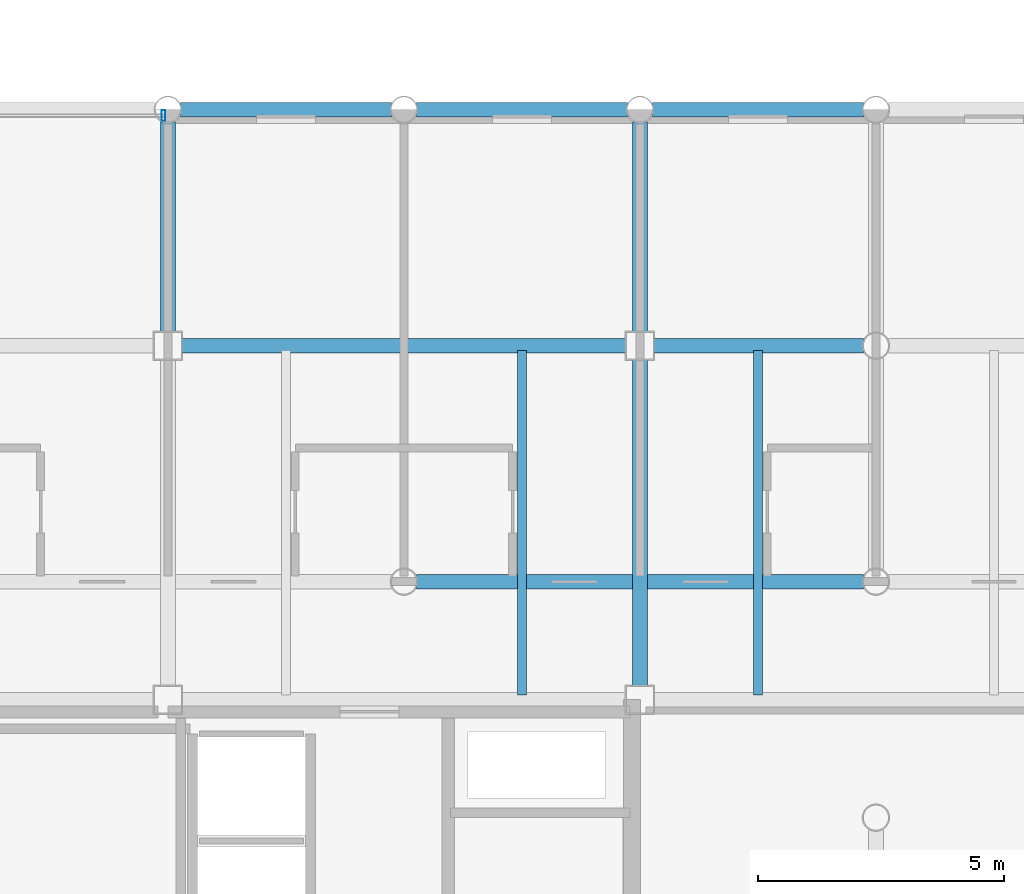
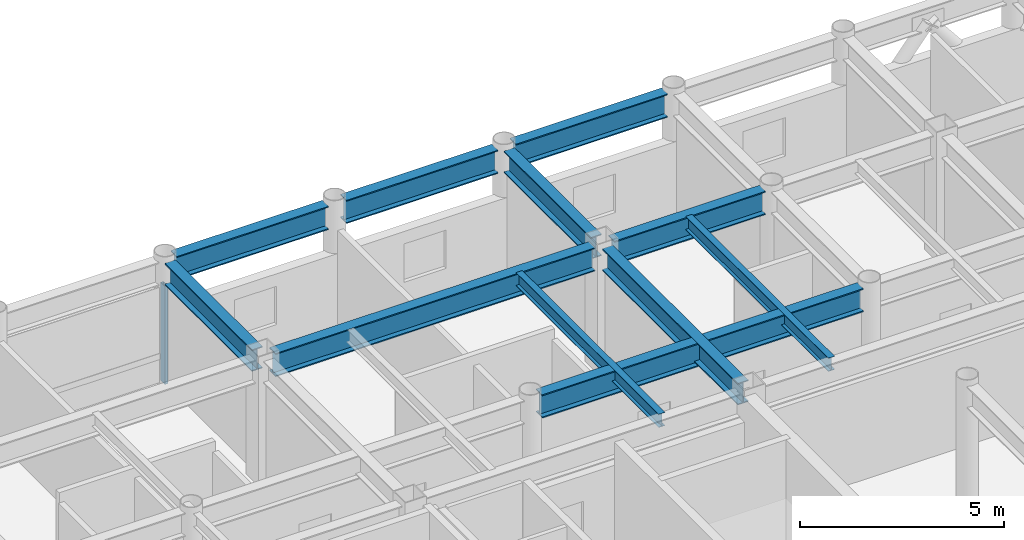
# One storey, part 14 of 23: 11 beams, 1 member, 1 element without a shape of its own.
"""IFC4 building model written with IfcOpenShell, lengths in metres."""

from ifc_helpers import new_model, si_unit, direction, frame, origin, origin_2d, place, context, subcontext, project, spatial, hollow_rectangle, i_section, extrude, material, layer, layer_set, material_profile, profile_set, type_object, element, aggregate, save


model = new_model("IFC4")

# Units and contexts
model_context = context("Model", 3, precision=1e-05, world=origin(), true_north=direction((0.0, 1.0)))
body_context = subcontext(model_context, "Body", "Model", "MODEL_VIEW")
ifc_project = project(units=[si_unit("LENGTHUNIT", "METRE"), si_unit("AREAUNIT", "SQUARE_METRE"), si_unit("VOLUMEUNIT", "CUBIC_METRE"), si_unit("PLANEANGLEUNIT", "RADIAN"), si_unit("MASSUNIT", "GRAM", prefix="KILO")], contexts=[model_context])

# Site, building, storey
site_placement = place(None, origin())
site = spatial("IfcSite", under=ifc_project, at=site_placement, CompositionType="ELEMENT")
building_placement = place(site_placement, origin())
building = spatial("IfcBuilding", under=site, at=building_placement, Name="Kallvorn Hotel Tower", CompositionType="ELEMENT")
storey_placement = place(building_placement, frame((0.0, 0.0, 195.35009765625)))
storey = spatial("IfcBuildingStorey", under=building, at=storey_placement, Name="L48", CompositionType="ELEMENT", Elevation=195.35009765625)

# Beams
ifc_material_1 = material(Name="Structural steel S355JR", Category="steel")
ifc_material_profile_1 = material_profile(ifc_material_1, i_section(OverallWidth=0.300048828125, OverallDepth=0.64990234375, WebThickness=0.01611328125, FlangeThickness=0.031005859375, at=origin_2d()), Name="HE 650 B")
ifc_profile_set_1 = profile_set([ifc_material_profile_1], Name="Structural steel S355JR")
beam_type_1 = type_object("IfcBeamType", Name="BM_HE650B", PredefinedType="BEAM", material=ifc_profile_set_1)
beam_1_placement = place(storey_placement, frame((4.800048828125, 14.675048828125, 3.344970703125), z_axis=(0.0, 1.0, 0.0), x_axis=(-1.0, 0.0, 0.0)))
element("IfcBeam", 1, at=beam_1_placement, inside=storey, type_object=beam_type_1, Name="L49 Primary Y-Girder 117", PredefinedType="BEAM", context=body_context, shape_type="SweptSolid", body=[
    extrude(i_section(OverallWidth=0.300048828125, OverallDepth=0.64990234375, WebThickness=0.01611328125, FlangeThickness=0.031005859375, at=origin_2d()), origin(), (0.0, 0.0, 1.0), 4.2705078125),
])
beam_2_placement = place(storey_placement, frame((14.39990234375, 7.47509765625, 3.344970703125), z_axis=(0.0, 1.0, 0.0), x_axis=(-1.0, 0.0, 0.0)))
element("IfcBeam", 2, at=beam_2_placement, inside=storey, type_object=beam_type_1, Name="L49 Primary Y-Girder 124", PredefinedType="BEAM", context=body_context, shape_type="SweptSolid", body=[
    extrude(i_section(OverallWidth=0.300048828125, OverallDepth=0.64990234375, WebThickness=0.01611328125, FlangeThickness=0.031005859375, at=origin_2d()), origin(), (0.0, 0.0, 1.0), 6.64990234375),
])
beam_3_placement = place(storey_placement, frame((14.39990234375, 14.675048828125, 3.344970703125), z_axis=(0.0, 1.0, 0.0), x_axis=(-1.0, 0.0, 0.0)))
element("IfcBeam", 3, at=beam_3_placement, inside=storey, type_object=beam_type_1, Name="L49 Primary Y-Girder 125", PredefinedType="BEAM", context=body_context, shape_type="SweptSolid", body=[
    extrude(i_section(OverallWidth=0.300048828125, OverallDepth=0.64990234375, WebThickness=0.01611328125, FlangeThickness=0.031005859375, at=origin_2d()), origin(), (0.0, 0.0, 1.0), 4.2705078125),
])
ifc_material_2 = material(Name="Structural steel S355JR", Category="steel")
ifc_material_profile_2 = material_profile(ifc_material_2, i_section(OverallWidth=0.300048828125, OverallDepth=0.699951171875, WebThickness=0.01708984375, FlangeThickness=0.031982421875, at=origin_2d()), Name="HE 700 B")
ifc_profile_set_2 = profile_set([ifc_material_profile_2], Name="Structural steel S355JR")
beam_type_2 = type_object("IfcBeamType", Name="BM_HE700B", PredefinedType="BEAM", material=ifc_profile_set_2)
beam_4_placement = place(storey_placement, frame((9.8544921875, 9.60009765625, 3.31982421875), z_axis=(1.0, 0.0, 0.0), x_axis=(0.0, 1.0, 0.0)))
element("IfcBeam", 4, at=beam_4_placement, inside=storey, type_object=beam_type_2, Name="L49 Primary X-Girder 47", PredefinedType="BEAM", context=body_context, shape_type="SweptSolid", body=[
    extrude(i_section(OverallWidth=0.300048828125, OverallDepth=0.699951171875, WebThickness=0.01708984375, FlangeThickness=0.031982421875, at=origin_2d()), origin(), (0.0, 0.0, 1.0), 9.091064453125),
])
beam_5_placement = place(storey_placement, frame((5.074951171875, 14.39990234375, 3.31982421875), z_axis=(1.0, 0.0, 0.0), x_axis=(0.0, 1.0, 0.0)))
element("IfcBeam", 5, at=beam_5_placement, inside=storey, type_object=beam_type_2, Name="L49 Primary X-Girder 56", PredefinedType="BEAM", context=body_context, shape_type="SweptSolid", body=[
    extrude(i_section(OverallWidth=0.300048828125, OverallDepth=0.699951171875, WebThickness=0.01708984375, FlangeThickness=0.031982421875, at=origin_2d()), origin(), (0.0, 0.0, 1.0), 9.050048828125),
])
beam_6_placement = place(storey_placement, frame((14.675048828125, 14.39990234375, 3.31982421875), z_axis=(1.0, 0.0, 0.0), x_axis=(0.0, 1.0, 0.0)))
element("IfcBeam", 6, at=beam_6_placement, inside=storey, type_object=beam_type_2, Name="L49 Primary X-Girder 57", PredefinedType="BEAM", context=body_context, shape_type="SweptSolid", body=[
    extrude(i_section(OverallWidth=0.300048828125, OverallDepth=0.699951171875, WebThickness=0.01708984375, FlangeThickness=0.031982421875, at=origin_2d()), origin(), (0.0, 0.0, 1.0), 4.2705078125),
])
for number, where, z_axis, x_axis, name in (
    (7, (5.054443359375, 19.199951171875, 3.31982421875), (1.0, 0.0, 0.0), (0.0, 1.0, 0.0), "L49 Primary X-Girder 68"),
    (8, (9.8544921875, 19.199951171875, 3.31982421875), (1.0, 0.0, 0.0), (0.0, 1.0, 0.0), "L49 Primary X-Girder 69"),
    (9, (14.654541015625, 19.199951171875, 3.31982421875), (1.0, 0.0, 0.0), (0.0, 1.0, 0.0), "L49 Primary X-Girder 70"),
):
    element("IfcBeam", number, at=place(storey_placement, frame(where, z_axis=z_axis, x_axis=x_axis)), inside=storey, type_object=beam_type_2, Name=name, PredefinedType="BEAM", context=body_context, shape_type="SweptSolid", body=[
        extrude(i_section(OverallWidth=0.300048828125, OverallDepth=0.699951171875, WebThickness=0.01708984375, FlangeThickness=0.031982421875, at=origin_2d()), origin(), (0.0, 0.0, 1.0), 4.291015625),
    ])
ifc_material_3 = material(Name="Structural steel S355JR", Category="steel")
ifc_material_profile_3 = material_profile(ifc_material_3, i_section(OverallWidth=0.179931640625, OverallDepth=0.39990234375, WebThickness=0.008544921875, FlangeThickness=0.013427734375, at=origin_2d()), Name="IPE 400")
ifc_profile_set_3 = profile_set([ifc_material_profile_3], Name="Structural steel S355JR")
beam_type_3 = type_object("IfcBeamType", Name="BM_IPE400", PredefinedType="JOIST", material=ifc_profile_set_3)
for number, where, z_axis, x_axis, name in (
    (10, (12.0, 7.300048828125, 3.469970703125), (0.0, 1.0, 0.0), (-1.0, 0.0, 0.0), "L49 Secondary Composite Joist 205"),
    (11, (16.800048828125, 7.300048828125, 3.469970703125), (0.0, 1.0, 0.0), (-1.0, 0.0, 0.0), "L49 Secondary Composite Joist 207"),
):
    element("IfcBeam", number, at=place(storey_placement, frame(where, z_axis=z_axis, x_axis=x_axis)), inside=storey, type_object=beam_type_3, Name=name, PredefinedType="JOIST", context=body_context, shape_type="SweptSolid", body=[
        extrude(i_section(OverallWidth=0.179931640625, OverallDepth=0.39990234375, WebThickness=0.008544921875, FlangeThickness=0.013427734375, at=origin_2d()), origin(), (0.0, 0.0, 1.0), 7.0),
    ])

# Curtain wall, member
ifc_material_4 = material(Name="Thermally broken black-anodised aluminium AA 6063-T6", Category="aluminium")
ifc_layer = layer(ifc_material_4, 0.22998046875)
ifc_layer_set = layer_set([ifc_layer], Name="CW_SYS_5_HOTEL_HIGH")
curtain_wall_type = type_object("IfcCurtainWallType", Name="CW_SYS_5_HOTEL_HIGH", PredefinedType="USERDEFINED", material=ifc_layer_set)
curtain_wall_placement = place(storey_placement, origin())
curtain_wall = element("IfcCurtainWall", 12, at=curtain_wall_placement, inside=storey, type_object=curtain_wall_type, Name="L48 Dark-Glass Curtain Wall CW-L48-NC", ObjectType="UNITISED CURTAIN WALL", PredefinedType="USERDEFINED")
ifc_material_5 = material(Name="Thermally broken black-anodised aluminium AA 6063-T6", Category="aluminium")
ifc_material_profile_4 = material_profile(ifc_material_5, hollow_rectangle(XDim=0.080078125, YDim=0.219970703125, WallThickness=0.0048828125, at=origin_2d()), Name="MUL 220x80")
ifc_profile_set_4 = profile_set([ifc_material_profile_4], Name="Thermally broken black-anodised aluminium AA 6063-T6")
member_type = type_object("IfcMemberType", Name="CW_MULLION_220x80", PredefinedType="MULLION", material=ifc_profile_set_4)
member_placement = place(storey_placement, frame((4.7099609375, 19.080078125, 0.02001953125), z_axis=(0.0, 0.0, 1.0), x_axis=(1.0, 0.0, 0.0)))
member = element("IfcMember", 13, at=member_placement, type_object=member_type, Name="CW-L48-NC Mullion 02", PredefinedType="MULLION", context=body_context, shape_type="SweptSolid", body=[
    extrude(hollow_rectangle(XDim=0.080078125, YDim=0.219970703125, WallThickness=0.0048828125, at=origin_2d()), origin(), (0.0, 0.0, 1.0), 2.929931640625),
])
aggregate(curtain_wall, [member])

save(model, "model.ifc")
